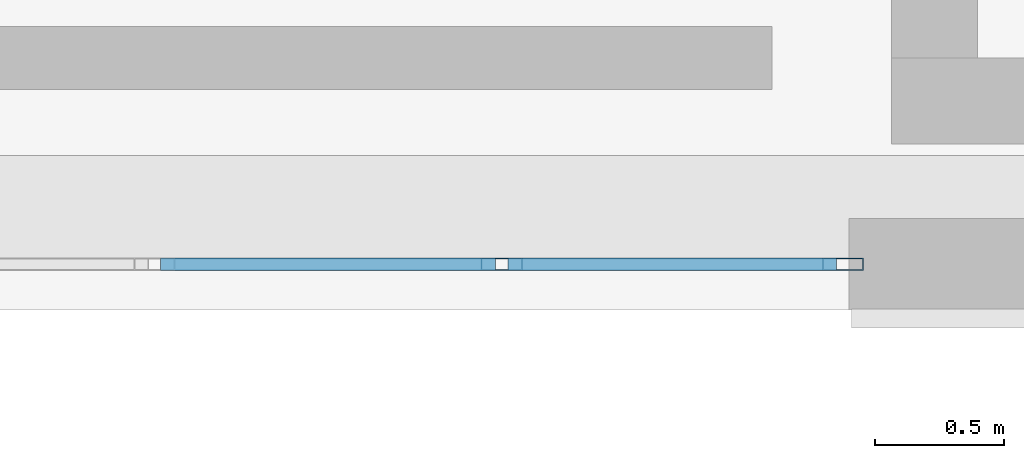
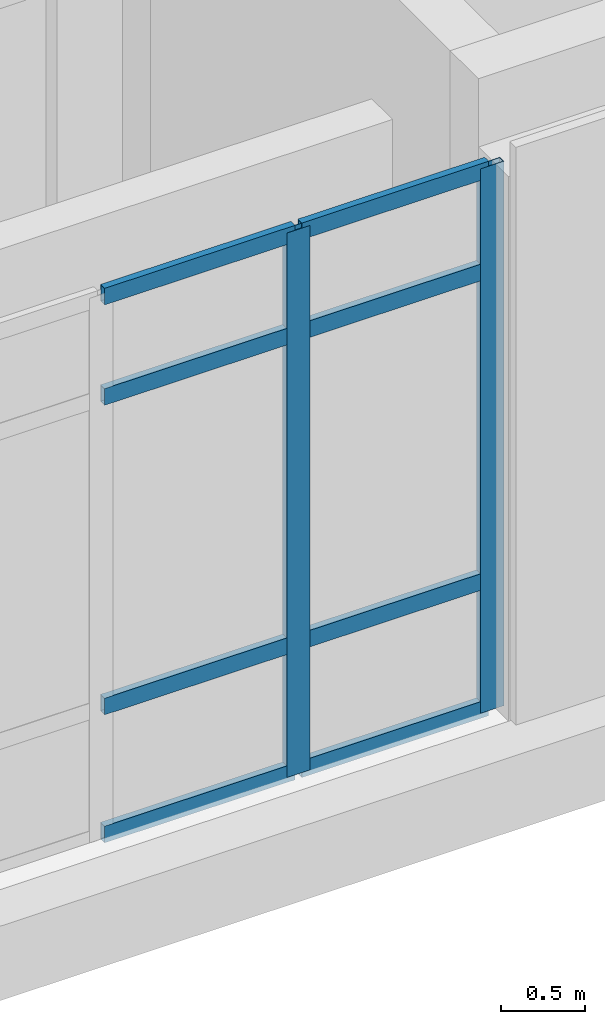
# One storey, part 21 of 48: 10 members, 1 element without a shape of its own.
"""IFC4 building model written with IfcOpenShell, lengths in metres."""

from ifc_helpers import new_model, si_unit, direction, frame, origin, origin_2d, place, context, subcontext, project, spatial, hollow_rectangle, extrude, material, layer, layer_set, material_profile, profile_set, type_object, element, aggregate, save


model = new_model("IFC4")

# Units and contexts
model_context = context("Model", 3, precision=1e-05, world=origin(), true_north=direction((0.0, 1.0)))
body_context = subcontext(model_context, "Body", "Model", "MODEL_VIEW")
ifc_project = project(units=[si_unit("LENGTHUNIT", "METRE"), si_unit("AREAUNIT", "SQUARE_METRE"), si_unit("VOLUMEUNIT", "CUBIC_METRE"), si_unit("PLANEANGLEUNIT", "RADIAN"), si_unit("MASSUNIT", "GRAM", prefix="KILO")], contexts=[model_context])

# Site, building, storey
site_placement = place(None, origin())
site = spatial("IfcSite", under=ifc_project, at=site_placement, CompositionType="ELEMENT")
building_placement = place(site_placement, origin())
building = spatial("IfcBuilding", under=site, at=building_placement, Name="Qalavern Law Courts", CompositionType="ELEMENT")
storey_placement = place(building_placement, frame((0.0, 0.0, 31.199951171875)))
storey = spatial("IfcBuildingStorey", under=building, at=storey_placement, Name="L07", CompositionType="ELEMENT", Elevation=31.199951171875)

# Curtain wall, members
ifc_material_1 = material(Name="Anodised aluminium and insulated glazing", Category="aluminium")
ifc_layer = layer(ifc_material_1, 0.159912109375)
ifc_layer_set = layer_set([ifc_layer], Name="Anodised aluminium and insulated glazing")
curtain_wall_type = type_object("IfcCurtainWallType", Name="ENV-CW-CHAMB", PredefinedType="USERDEFINED", material=ifc_layer_set)
curtain_wall_placement = place(storey_placement, origin())
curtain_wall = element("IfcCurtainWall", 1, at=curtain_wall_placement, inside=storey, type_object=curtain_wall_type, Name="V4 unitised curtain wall L07 south 2", ObjectType="UNITISED CURTAIN WALL", PredefinedType="USERDEFINED")
ifc_material_2 = material(Name="Anodised aluminium", Category="aluminium")
ifc_material_profile_1 = material_profile(ifc_material_2, hollow_rectangle(XDim=0.048095703125, YDim=0.159912109375, WallThickness=0.00390625, at=origin_2d()), Name="ALU MULLION 48x160")
ifc_profile_set_1 = profile_set([ifc_material_profile_1], Name="Anodised aluminium")
member_type_1 = type_object("IfcMemberType", Name="ENV-CWM-48x160", PredefinedType="MULLION", material=ifc_profile_set_1)
member_1_placement = place(storey_placement, frame((96.35009765625, 41.197509765625, 0.0), z_axis=(0.0, 0.0, 1.0), x_axis=(0.0, 1.0, 0.0)))
member_1 = element("IfcMember", 2, at=member_1_placement, type_object=member_type_1, Name="CW-04 mullion 4", PredefinedType="MULLION", context=body_context, shape_type="SweptSolid", body=[
    extrude(hollow_rectangle(XDim=0.048095703125, YDim=0.159912109375, WallThickness=0.00390625, at=origin_2d()), origin(), (0.0, 0.0, 1.0), 3.93994140625),
])
member_2_placement = place(storey_placement, frame((97.676025390625, 41.197509765625, 0.0), z_axis=(0.0, 0.0, 1.0), x_axis=(0.0, 1.0, 0.0)))
member_2 = element("IfcMember", 3, at=member_2_placement, type_object=member_type_1, Name="CW-04 mullion 5", PredefinedType="MULLION", context=body_context, shape_type="SweptSolid", body=[
    extrude(hollow_rectangle(XDim=0.048095703125, YDim=0.159912109375, WallThickness=0.00390625, at=origin_2d()), origin(), (0.0, 0.0, 1.0), 3.93994140625),
])
ifc_material_profile_2 = material_profile(ifc_material_2, hollow_rectangle(XDim=0.048095703125, YDim=0.1201171875, WallThickness=0.00390625, at=origin_2d()), Name="ALU TRANSOM 48x120")
ifc_profile_set_2 = profile_set([ifc_material_profile_2], Name="Anodised aluminium")
member_type_2 = type_object("IfcMemberType", Name="ENV-CWT-48x120", PredefinedType="USERDEFINED", material=ifc_profile_set_2)
member_3_placement = place(storey_placement, frame((95.02392578125, 41.197509765625, 0.024169921875), z_axis=(1.0, 0.0, 0.0), x_axis=(0.0, 1.0, 0.0)))
member_3 = element("IfcMember", 4, at=member_3_placement, type_object=member_type_2, Name="CW-04 transom 3.1", ObjectType="TRANSOM", PredefinedType="USERDEFINED", context=body_context, shape_type="SweptSolid", body=[
    extrude(hollow_rectangle(XDim=0.048095703125, YDim=0.1201171875, WallThickness=0.00390625, at=origin_2d()), origin(), (0.0, 0.0, 1.0), 1.302001953125),
])
member_4_placement = place(storey_placement, frame((95.02392578125, 41.197509765625, 0.949951171875), z_axis=(1.0, 0.0, 0.0), x_axis=(0.0, 1.0, 0.0)))
member_4 = element("IfcMember", 5, at=member_4_placement, type_object=member_type_2, Name="CW-04 transom 3.2", ObjectType="TRANSOM", PredefinedType="USERDEFINED", context=body_context, shape_type="SweptSolid", body=[
    extrude(hollow_rectangle(XDim=0.048095703125, YDim=0.1201171875, WallThickness=0.00390625, at=origin_2d()), origin(), (0.0, 0.0, 1.0), 1.302001953125),
])
member_5_placement = place(storey_placement, frame((95.02392578125, 41.197509765625, 3.18994140625), z_axis=(1.0, 0.0, 0.0), x_axis=(0.0, 1.0, 0.0)))
member_5 = element("IfcMember", 6, at=member_5_placement, type_object=member_type_2, Name="CW-04 transom 3.3", ObjectType="TRANSOM", PredefinedType="USERDEFINED", context=body_context, shape_type="SweptSolid", body=[
    extrude(hollow_rectangle(XDim=0.048095703125, YDim=0.1201171875, WallThickness=0.00390625, at=origin_2d()), origin(), (0.0, 0.0, 1.0), 1.302001953125),
])
member_6_placement = place(storey_placement, frame((95.02392578125, 41.197509765625, 3.916015625), z_axis=(1.0, 0.0, 0.0), x_axis=(0.0, 1.0, 0.0)))
member_6 = element("IfcMember", 7, at=member_6_placement, type_object=member_type_2, Name="CW-04 transom 3.4", ObjectType="TRANSOM", PredefinedType="USERDEFINED", context=body_context, shape_type="SweptSolid", body=[
    extrude(hollow_rectangle(XDim=0.048095703125, YDim=0.1201171875, WallThickness=0.00390625, at=origin_2d()), origin(), (0.0, 0.0, 1.0), 1.302001953125),
])
member_7_placement = place(storey_placement, frame((96.3740234375, 41.197509765625, 0.024169921875), z_axis=(1.0, 0.0, 0.0), x_axis=(0.0, 1.0, 0.0)))
member_7 = element("IfcMember", 8, at=member_7_placement, type_object=member_type_2, Name="CW-04 transom 4.1", ObjectType="TRANSOM", PredefinedType="USERDEFINED", context=body_context, shape_type="SweptSolid", body=[
    extrude(hollow_rectangle(XDim=0.048095703125, YDim=0.1201171875, WallThickness=0.00390625, at=origin_2d()), origin(), (0.0, 0.0, 1.0), 1.278076171875),
])
member_8_placement = place(storey_placement, frame((96.3740234375, 41.197509765625, 0.949951171875), z_axis=(1.0, 0.0, 0.0), x_axis=(0.0, 1.0, 0.0)))
member_8 = element("IfcMember", 9, at=member_8_placement, type_object=member_type_2, Name="CW-04 transom 4.2", ObjectType="TRANSOM", PredefinedType="USERDEFINED", context=body_context, shape_type="SweptSolid", body=[
    extrude(hollow_rectangle(XDim=0.048095703125, YDim=0.1201171875, WallThickness=0.00390625, at=origin_2d()), origin(), (0.0, 0.0, 1.0), 1.278076171875),
])
member_9_placement = place(storey_placement, frame((96.3740234375, 41.197509765625, 3.18994140625), z_axis=(1.0, 0.0, 0.0), x_axis=(0.0, 1.0, 0.0)))
member_9 = element("IfcMember", 10, at=member_9_placement, type_object=member_type_2, Name="CW-04 transom 4.3", ObjectType="TRANSOM", PredefinedType="USERDEFINED", context=body_context, shape_type="SweptSolid", body=[
    extrude(hollow_rectangle(XDim=0.048095703125, YDim=0.1201171875, WallThickness=0.00390625, at=origin_2d()), origin(), (0.0, 0.0, 1.0), 1.278076171875),
])
member_10_placement = place(storey_placement, frame((96.3740234375, 41.197509765625, 3.916015625), z_axis=(1.0, 0.0, 0.0), x_axis=(0.0, 1.0, 0.0)))
member_10 = element("IfcMember", 11, at=member_10_placement, type_object=member_type_2, Name="CW-04 transom 4.4", ObjectType="TRANSOM", PredefinedType="USERDEFINED", context=body_context, shape_type="SweptSolid", body=[
    extrude(hollow_rectangle(XDim=0.048095703125, YDim=0.1201171875, WallThickness=0.00390625, at=origin_2d()), origin(), (0.0, 0.0, 1.0), 1.278076171875),
])
aggregate(curtain_wall, [member_1, member_2, member_3, member_4, member_5, member_6, member_7, member_8, member_9, member_10])

save(model, "model.ifc")
